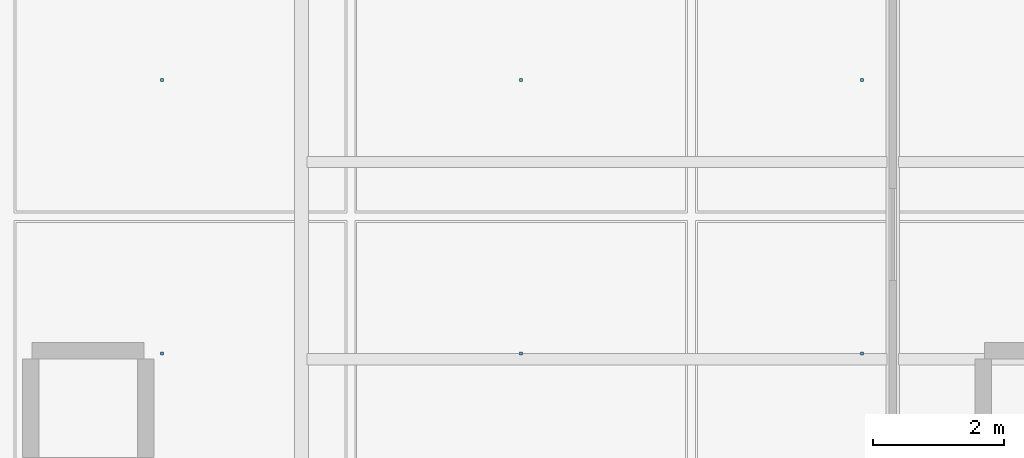
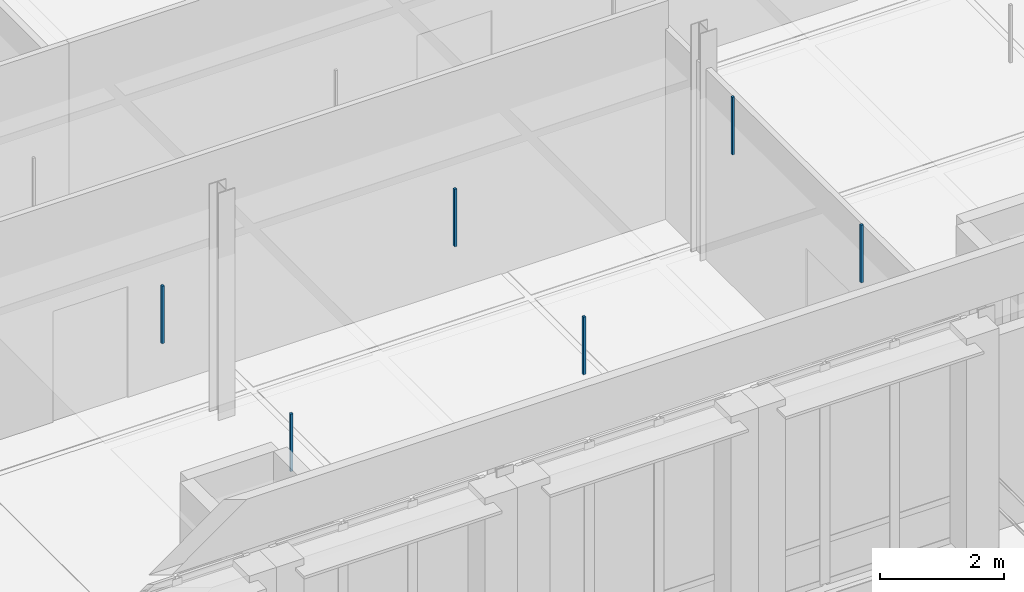
# One storey, part 61 of 89: 6 discrete accessories.
"""IFC4 building model written with IfcOpenShell, lengths in metres."""

from ifc_helpers import new_model, si_unit, direction, frame, origin, origin_2d, place, context, subcontext, project, spatial, rectangle, extrude, material, type_object, element, save


model = new_model("IFC4")

# Units and contexts
model_context = context("Model", 3, precision=1e-05, world=origin(), true_north=direction((0.0, 1.0)))
body_context = subcontext(model_context, "Body", "Model", "MODEL_VIEW")
ifc_project = project(units=[si_unit("LENGTHUNIT", "METRE"), si_unit("AREAUNIT", "SQUARE_METRE"), si_unit("VOLUMEUNIT", "CUBIC_METRE"), si_unit("PLANEANGLEUNIT", "RADIAN"), si_unit("MASSUNIT", "GRAM", prefix="KILO"), si_unit("THERMODYNAMICTEMPERATUREUNIT", "KELVIN"), si_unit("POWERUNIT", "WATT")], contexts=[model_context])

# Site, building, storey
site_placement = place(None, origin())
site = spatial("IfcSite", under=ifc_project, at=site_placement, CompositionType="ELEMENT")
building_placement = place(site_placement, origin())
building = spatial("IfcBuilding", under=site, at=building_placement, Name="Tallowbark Science Centre", CompositionType="ELEMENT")
storey_placement = place(building_placement, frame((0.0, 0.0, 14.39990234375)))
storey = spatial("IfcBuildingStorey", under=building, at=storey_placement, Name="L03", CompositionType="ELEMENT", Elevation=14.39990234375)

# Discrete accessories
ifc_material = material(Name="Galvanised Steel Grade C350L0 (350 MPa)", Category="steel")
discrete_accessory_type = type_object("IfcDiscreteAccessoryType", Name="ACC-CLG-HNG", PredefinedType="BRACKET", material=ifc_material)
for number, where, z_axis, x_axis, name in (
    (1, (87.876220703125, 75.083251953125, 3.205078125), (0.0, 0.0, 1.0), (1.0, 0.0, 0.0), "Ceiling Hanger Bracket L03-1003"),
    (2, (87.876220703125, 79.25, 3.205078125), (0.0, 0.0, 1.0), (1.0, 0.0, 0.0), "Ceiling Hanger Bracket L03-1004"),
    (3, (93.34375, 75.083251953125, 3.205078125), (0.0, 0.0, 1.0), (1.0, 0.0, 0.0), "Ceiling Hanger Bracket L03-1009"),
    (4, (93.34375, 79.25, 3.205078125), (0.0, 0.0, 1.0), (1.0, 0.0, 0.0), "Ceiling Hanger Bracket L03-1010"),
    (5, (98.53125, 75.083251953125, 3.205078125), (0.0, 0.0, 1.0), (1.0, 0.0, 0.0), "Ceiling Hanger Bracket L03-1015"),
    (6, (98.53125, 79.25, 3.205078125), (0.0, 0.0, 1.0), (1.0, 0.0, 0.0), "Ceiling Hanger Bracket L03-1016"),
):
    element("IfcDiscreteAccessory", number, at=place(storey_placement, frame(where, z_axis=z_axis, x_axis=x_axis)), inside=storey, type_object=discrete_accessory_type, Name=name, PredefinedType="BRACKET", context=body_context, shape_type="SweptSolid", body=[
        extrude(rectangle(XDim=0.044921875, YDim=0.044921875, at=origin_2d()), origin(), (0.0, 0.0, 1.0), 1.137939453125),
    ])

save(model, "model.ifc")
